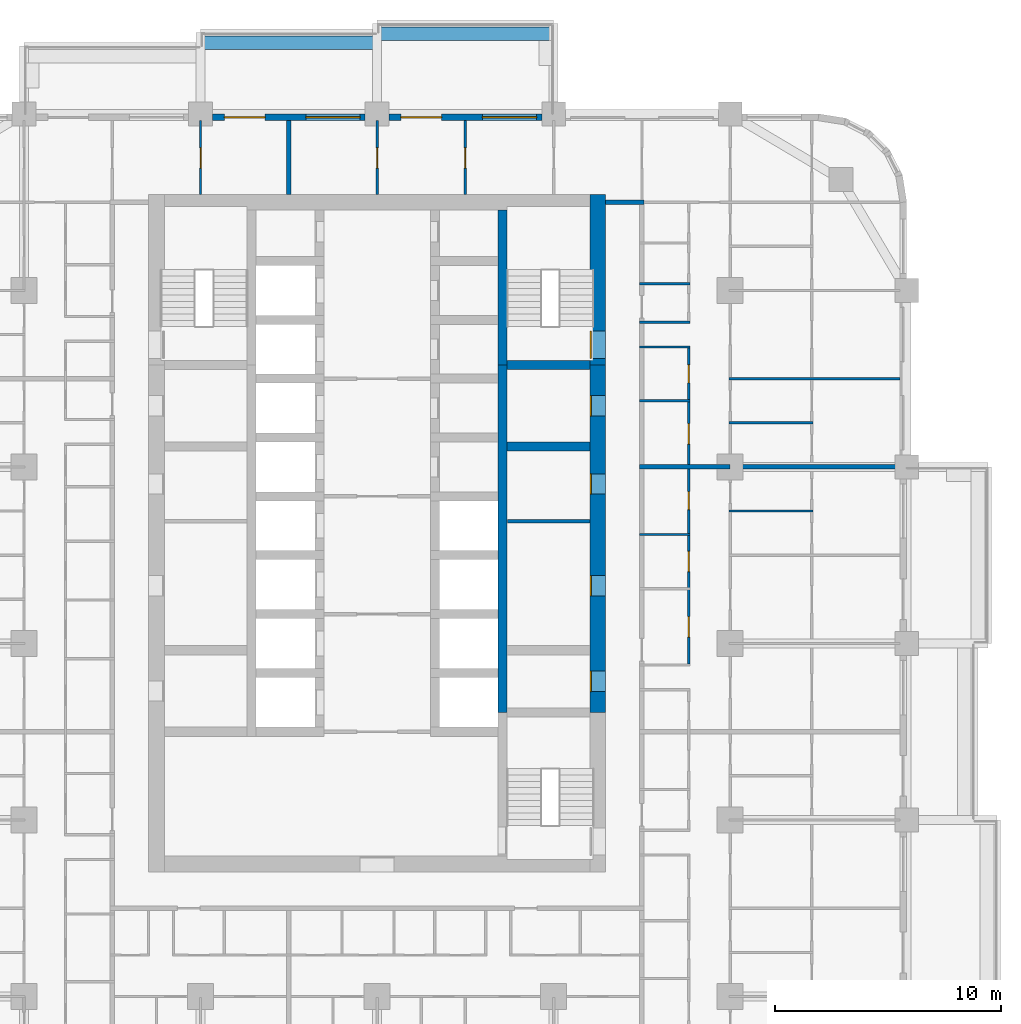
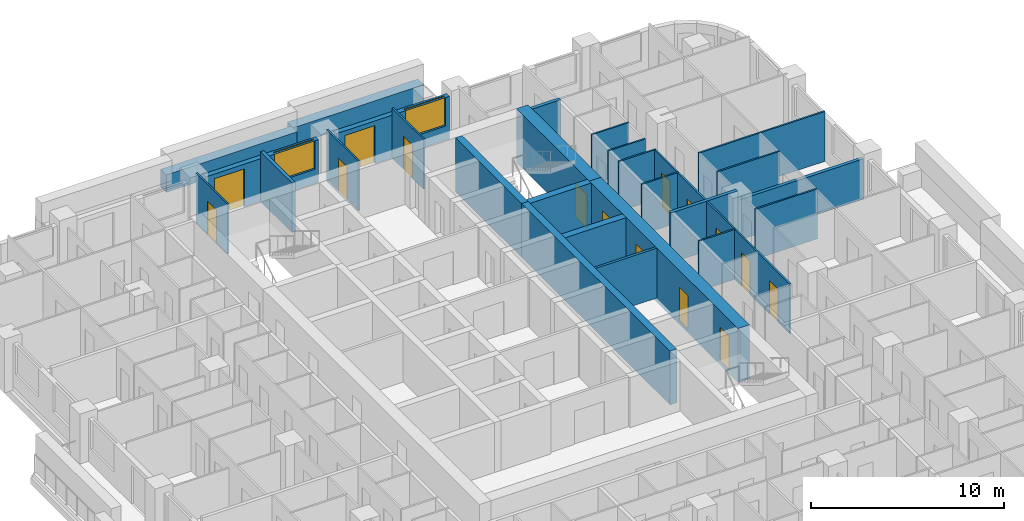
# One storey, part 12 of 17: 27 walls, 15 doors, 2 windows, 17 openings.
"""IFC4 building model written with IfcOpenShell, lengths in metres."""

from ifc_helpers import new_model, si_unit, direction, frame, frame_2d, origin, place, context, subcontext, project, spatial, rectangle, extrude, material, layer, layer_set, type_object, element, fill, save


model = new_model("IFC4")

# Units and contexts
model_context = context("Model", 3, precision=1e-05, world=origin(), true_north=direction((0.0, 1.0)))
body_context = subcontext(model_context, "Body", "Model", "MODEL_VIEW")
ifc_project = project(units=[si_unit("LENGTHUNIT", "METRE"), si_unit("AREAUNIT", "SQUARE_METRE"), si_unit("VOLUMEUNIT", "CUBIC_METRE"), si_unit("PLANEANGLEUNIT", "RADIAN"), si_unit("MASSUNIT", "GRAM", prefix="KILO")], contexts=[model_context])

# Site, building, storey
site_placement = place(None, origin())
site = spatial("IfcSite", under=ifc_project, at=site_placement, CompositionType="ELEMENT")
building_placement = place(site_placement, origin())
building = spatial("IfcBuilding", under=site, at=building_placement, Name="Ludao Terraces", CompositionType="ELEMENT")
storey_placement = place(building_placement, frame((0.0, 0.0, 54.60009765625)))
storey = spatial("IfcBuildingStorey", under=building, at=storey_placement, Name="L14", CompositionType="ELEMENT", Elevation=54.60009765625)

# Wall, openings, doors
ifc_material_1 = material(Name="Concrete C70", Category="concrete")
ifc_layer_1 = layer(ifc_material_1, 0.699951171875)
ifc_layer_set_1 = layer_set([ifc_layer_1], Name="Core wall 700 C70")
wall_type_1 = type_object("IfcWallType", Name="Core wall 700 C70", PredefinedType="SOLIDWALL", material=ifc_layer_set_1)
wall_1_placement = place(storey_placement, frame((94.75, 61.949951171875, -0.25), z_axis=(0.0, 0.0, 1.0), x_axis=(0.0, 1.0, 0.0)))
wall_1 = element("IfcWall", 1, at=wall_1_placement, inside=storey, type_object=wall_type_1, Name="Core wall L14 outer-E", PredefinedType="SOLIDWALL", context=body_context, shape_type="SweptSolid", body=[
    extrude(rectangle(XDim=15.35009765625, YDim=0.699951171875, at=frame_2d((7.675048828125, 0.0))), origin(), (0.0, 0.0, 1.0), 3.39990234375),
])
opening_1_placement = place(wall_1_placement, frame((0.925048828125, 0.0, 0.25)))
opening_1 = element("IfcOpeningElement", 2, at=opening_1_placement, cuts=wall_1, Name="Opening R04-081", PredefinedType="OPENING", context=body_context, shape_type="SweptSolid", body=[
    extrude(rectangle(XDim=0.89990234375, YDim=2.10009765625, at=frame_2d((0.449951171875, 1.050048828125))), frame((0.0, 0.35986328125, 0.0), z_axis=(0.0, -1.0, 0.0), x_axis=(1.0, 0.0, 0.0)), (0.0, 0.0, 1.0), 0.719970703125),
])
opening_2_placement = place(wall_1_placement, frame((5.14990234375, 0.0, 0.25)))
opening_2 = element("IfcOpeningElement", 3, at=opening_2_placement, cuts=wall_1, Name="Opening R04-091", PredefinedType="OPENING", context=body_context, shape_type="SweptSolid", body=[
    extrude(rectangle(XDim=0.89990234375, YDim=2.10009765625, at=frame_2d((0.449951171875, 1.050048828125))), frame((0.0, 0.35986328125, 0.0), z_axis=(0.0, -1.0, 0.0), x_axis=(1.0, 0.0, 0.0)), (0.0, 0.0, 1.0), 0.719970703125),
])
opening_3_placement = place(wall_1_placement, frame((9.64990234375, 0.0, 0.25)))
opening_3 = element("IfcOpeningElement", 4, at=opening_3_placement, cuts=wall_1, Name="Opening R04-108", PredefinedType="OPENING", context=body_context, shape_type="SweptSolid", body=[
    extrude(rectangle(XDim=0.89990234375, YDim=2.10009765625, at=frame_2d((0.449951171875, 1.050048828125))), frame((0.0, 0.35986328125, 0.0), z_axis=(0.0, -1.0, 0.0), x_axis=(1.0, 0.0, 0.0)), (0.0, 0.0, 1.0), 0.719970703125),
])
opening_4_placement = place(wall_1_placement, frame((13.10009765625, 0.0, 0.25)))
opening_4 = element("IfcOpeningElement", 5, at=opening_4_placement, cuts=wall_1, Name="Opening R04-118", PredefinedType="OPENING", context=body_context, shape_type="SweptSolid", body=[
    extrude(rectangle(XDim=0.89990234375, YDim=2.10009765625, at=frame_2d((0.449951171875, 1.050048828125))), frame((0.0, 0.35986328125, 0.0), z_axis=(0.0, -1.0, 0.0), x_axis=(1.0, 0.0, 0.0)), (0.0, 0.0, 1.0), 0.719970703125),
])
ifc_material_2 = material(Name="Steel Q235", Category="steel")
door_type_1 = type_object("IfcDoorType", Name="INT Riser door 900", OperationType="SINGLE_SWING_LEFT", PredefinedType="DOOR", material=ifc_material_2)
door_1_placement = place(opening_1_placement, origin())
door_1 = element("IfcDoor", 6, at=door_1_placement, inside=storey, type_object=door_type_1, Name="DOOR 081", OperationType="SINGLE_SWING_LEFT", OverallHeight=2.10009765625, OverallWidth=0.89990234375, PredefinedType="DOOR", context=body_context, shape_type="SweptSolid", body=[
    extrude(rectangle(XDim=0.89990234375, YDim=2.10009765625, at=frame_2d((0.449951171875, 1.050048828125))), frame((0.0, 0.3349609375, 0.0), z_axis=(0.0, -1.0, 0.0), x_axis=(1.0, 0.0, 0.0)), (0.0, 0.0, 1.0), 0.050048828125),
])
fill(opening_1, door_1)
door_2_placement = place(opening_4_placement, origin())
door_2 = element("IfcDoor", 7, at=door_2_placement, inside=storey, type_object=door_type_1, Name="DOOR 118", OperationType="SINGLE_SWING_LEFT", OverallHeight=2.10009765625, OverallWidth=0.89990234375, PredefinedType="DOOR", context=body_context, shape_type="SweptSolid", body=[
    extrude(rectangle(XDim=0.89990234375, YDim=2.10009765625, at=frame_2d((0.449951171875, 1.050048828125))), frame((0.0, 0.3349609375, 0.0), z_axis=(0.0, -1.0, 0.0), x_axis=(1.0, 0.0, 0.0)), (0.0, 0.0, 1.0), 0.050048828125),
])
fill(opening_4, door_2)
ifc_material_3 = material(Name="Timber door leaf", Category="wood")
door_type_2 = type_object("IfcDoorType", Name="INT Room door 900", OperationType="SINGLE_SWING_LEFT", PredefinedType="DOOR", material=ifc_material_3)
door_3_placement = place(opening_2_placement, origin())
door_3 = element("IfcDoor", 8, at=door_3_placement, inside=storey, type_object=door_type_2, Name="DOOR 091", OperationType="SINGLE_SWING_LEFT", OverallHeight=2.10009765625, OverallWidth=0.89990234375, PredefinedType="DOOR", context=body_context, shape_type="SweptSolid", body=[
    extrude(rectangle(XDim=0.89990234375, YDim=2.10009765625, at=frame_2d((0.449951171875, 1.050048828125))), frame((0.0, 0.3349609375, 0.0), z_axis=(0.0, -1.0, 0.0), x_axis=(1.0, 0.0, 0.0)), (0.0, 0.0, 1.0), 0.050048828125),
])
fill(opening_2, door_3)
door_4_placement = place(opening_3_placement, origin())
door_4 = element("IfcDoor", 9, at=door_4_placement, inside=storey, type_object=door_type_2, Name="DOOR 108", OperationType="SINGLE_SWING_RIGHT", OverallHeight=2.10009765625, OverallWidth=0.89990234375, PredefinedType="DOOR", context=body_context, shape_type="SweptSolid", body=[
    extrude(rectangle(XDim=0.89990234375, YDim=2.10009765625, at=frame_2d((0.449951171875, 1.050048828125))), frame((0.0, 0.3349609375, 0.0), z_axis=(0.0, -1.0, 0.0), x_axis=(1.0, 0.0, 0.0)), (0.0, 0.0, 1.0), 0.050048828125),
])
fill(opening_3, door_4)

# Wall, opening, door
wall_2_placement = place(storey_placement, frame((94.75, 77.300048828125, -0.25), z_axis=(0.0, 0.0, 1.0), x_axis=(0.0, 1.0, 0.0)))
wall_2 = element("IfcWall", 10, at=wall_2_placement, inside=storey, type_object=wall_type_1, Name="Core wall L14 outer-E-S2", PredefinedType="SOLIDWALL", context=body_context, shape_type="SweptSolid", body=[
    extrude(rectangle(XDim=7.550048828125, YDim=0.699951171875, at=frame_2d((3.77490234375, 0.0))), origin(), (0.0, 0.0, 1.0), 3.39990234375),
])
opening_5_placement = place(wall_2_placement, frame((0.300048828125, 0.0, 0.25)))
opening_5 = element("IfcOpeningElement", 11, at=opening_5_placement, cuts=wall_2, Name="Opening R04-132", PredefinedType="OPENING", context=body_context, shape_type="SweptSolid", body=[
    extrude(rectangle(XDim=1.199951171875, YDim=2.10009765625, at=frame_2d((0.60009765625, 1.050048828125))), frame((0.0, 0.35986328125, 0.0), z_axis=(0.0, -1.0, 0.0), x_axis=(1.0, 0.0, 0.0)), (0.0, 0.0, 1.0), 0.719970703125),
])
door_type_3 = type_object("IfcDoorType", Name="INT Stair door 1200", OperationType="DOUBLE_DOOR_SINGLE_SWING", PredefinedType="DOOR", material=ifc_material_2)
door_5_placement = place(opening_5_placement, origin())
door_5 = element("IfcDoor", 12, at=door_5_placement, inside=storey, type_object=door_type_3, Name="DOOR 132", OperationType="DOUBLE_DOOR_SINGLE_SWING", OverallHeight=2.10009765625, OverallWidth=1.199951171875, PredefinedType="DOOR", context=body_context, shape_type="SweptSolid", body=[
    extrude(rectangle(XDim=1.199951171875, YDim=2.10009765625, at=frame_2d((0.60009765625, 1.050048828125))), frame((0.0, 0.3349609375, 0.0), z_axis=(0.0, -1.0, 0.0), x_axis=(1.0, 0.0, 0.0)), (0.0, 0.0, 1.0), 0.050048828125),
])
fill(opening_5, door_5)

# Walls
ifc_material_4 = material(Name="Concrete C40", Category="concrete")
ifc_layer_2 = layer(ifc_material_4, 0.60009765625)
ifc_layer_set_2 = layer_set([ifc_layer_2], Name="ENV Planter trough 600")
wall_type_2 = type_object("IfcWallType", Name="ENV Planter trough 600", PredefinedType="USERDEFINED", material=ifc_layer_set_2)
for number, where, z_axis, x_axis, name in (
    (13, (77.199951171875, 91.550048828125, 0.0), (0.0, 0.0, 1.0), (1.0, 0.0, 0.0), "PL-L14-N2"),
    (14, (85.0, 91.949951171875, 0.0), (0.0, 0.0, 1.0), (1.0, 0.0, 0.0), "PL-L14-N3"),
):
    element("IfcWall", number, at=place(storey_placement, frame(where, z_axis=z_axis, x_axis=x_axis)), inside=storey, type_object=wall_type_2, Name=name, ObjectType="PLANTER", PredefinedType="USERDEFINED", context=body_context, shape_type="SweptSolid", body=[
        extrude(rectangle(XDim=7.800048828125, YDim=0.60009765625, at=frame_2d((3.89990234375, 0.0))), origin(), (0.0, 0.0, 1.0), 1.099853515625),
    ])

# Wall, openings, door, window
ifc_material_5 = material(Name="Granite cladding", Category="masonry")
ifc_layer_3 = layer(ifc_material_5, 0.0400390625, Category="stone")
ifc_material_6 = material(Name="Mineral wool")
ifc_layer_4 = layer(ifc_material_6, 0.06005859375)
ifc_layer_5 = layer(ifc_material_4, 0.199951171875, Category="concrete")
ifc_layer_set_3 = layer_set([ifc_layer_3, ifc_layer_4, ifc_layer_5], Name="ENV Stone-clad wall 300")
wall_type_3 = type_object("IfcWallType", Name="ENV Stone-clad wall 300", PredefinedType="SOLIDWALL", material=ifc_layer_set_3)
wall_3_placement = place(storey_placement, frame((77.72509765625, 88.25, 0.0), z_axis=(0.0, 0.0, 1.0), x_axis=(1.0, 0.0, 0.0)))
wall_3 = element("IfcWall", 15, at=wall_3_placement, inside=storey, type_object=wall_type_3, Name="EW-L14-N3", PredefinedType="SOLIDWALL", context=body_context, shape_type="SweptSolid", body=[
    extrude(rectangle(XDim=6.75, YDim=0.300048828125, at=frame_2d((3.375, 0.0))), origin(), (0.0, 0.0, 1.0), 2.699951171875),
])
opening_6_placement = place(wall_3_placement, frame((0.52490234375, 0.0, 0.0)))
opening_6 = element("IfcOpeningElement", 16, at=opening_6_placement, cuts=wall_3, Name="Opening BD", PredefinedType="OPENING", context=body_context, shape_type="SweptSolid", body=[
    extrude(rectangle(XDim=1.800048828125, YDim=2.39990234375, at=frame_2d((0.89990234375, 1.199951171875))), frame((0.0, 0.16015625, 0.0), z_axis=(0.0, -1.0, 0.0), x_axis=(1.0, 0.0, 0.0)), (0.0, 0.0, 1.0), 0.320068359375),
])
opening_7_placement = place(wall_3_placement, frame((4.125, 0.0, 0.89990234375)))
opening_7 = element("IfcOpeningElement", 17, at=opening_7_placement, cuts=wall_3, Name="Opening W1", PredefinedType="OPENING", context=body_context, shape_type="SweptSolid", body=[
    extrude(rectangle(XDim=2.39990234375, YDim=1.800048828125, at=frame_2d((1.199951171875, 0.89990234375))), frame((0.0, 0.16015625, 0.0), z_axis=(0.0, -1.0, 0.0), x_axis=(1.0, 0.0, 0.0)), (0.0, 0.0, 1.0), 0.320068359375),
])
ifc_material_7 = material(Name="Aluminium glazed door", Category="aluminium")
ifc_layer_6 = layer(ifc_material_7, 0.06005859375)
ifc_layer_set_4 = layer_set([ifc_layer_6], Name="ENV Balcony door BD 1800x2400")
door_type_4 = type_object("IfcDoorType", Name="ENV Balcony door BD 1800x2400", OperationType="DOUBLE_DOOR_SINGLE_SWING", PredefinedType="DOOR", material=ifc_layer_set_4)
door_6_placement = place(opening_6_placement, origin())
door_6 = element("IfcDoor", 18, at=door_6_placement, inside=storey, type_object=door_type_4, Name="BD-L14-N3-1", OperationType="DOUBLE_DOOR_SINGLE_SWING", OverallHeight=2.39990234375, OverallWidth=1.800048828125, PredefinedType="DOOR", context=body_context, shape_type="SweptSolid", body=[
    extrude(rectangle(XDim=1.800048828125, YDim=2.39990234375, at=frame_2d((0.89990234375, 1.199951171875))), frame((0.0, 0.02490234375, 0.0), z_axis=(0.0, -1.0, 0.0), x_axis=(1.0, 0.0, 0.0)), (0.0, 0.0, 1.0), 0.050048828125),
])
fill(opening_6, door_6)
ifc_material_8 = material(Name="Clear glass in aluminium frame", Category="aluminium")
ifc_layer_7 = layer(ifc_material_8, 0.06005859375)
ifc_layer_set_5 = layer_set([ifc_layer_7], Name="ENV Window W1 2400x1800")
window_type = type_object("IfcWindowType", Name="ENV Window W1 2400x1800", PartitioningType="DOUBLE_PANEL_VERTICAL", PredefinedType="WINDOW", material=ifc_layer_set_5)
window_1_placement = place(opening_7_placement, origin())
window_1 = element("IfcWindow", 19, at=window_1_placement, inside=storey, type_object=window_type, Name="W-L14-N3-2", OverallHeight=1.800048828125, OverallWidth=2.39990234375, PartitioningType="DOUBLE_PANEL_VERTICAL", PredefinedType="WINDOW", context=body_context, shape_type="SweptSolid", body=[
    extrude(rectangle(XDim=2.39990234375, YDim=1.800048828125, at=frame_2d((1.199951171875, 0.89990234375))), frame((0.0, 0.030029296875, 0.0), z_axis=(0.0, -1.0, 0.0), x_axis=(1.0, 0.0, 0.0)), (0.0, 0.0, 1.0), 0.06005859375),
])
fill(opening_7, window_1)

wall_4_placement = place(storey_placement, frame((85.52490234375, 88.25, 0.0), z_axis=(0.0, 0.0, 1.0), x_axis=(1.0, 0.0, 0.0)))
wall_4 = element("IfcWall", 20, at=wall_4_placement, inside=storey, type_object=wall_type_3, Name="EW-L14-N4", PredefinedType="SOLIDWALL", context=body_context, shape_type="SweptSolid", body=[
    extrude(rectangle(XDim=6.75, YDim=0.300048828125, at=frame_2d((3.375, 0.0))), origin(), (0.0, 0.0, 1.0), 2.699951171875),
])
opening_8_placement = place(wall_4_placement, frame((0.52490234375, 0.0, 0.0)))
opening_8 = element("IfcOpeningElement", 21, at=opening_8_placement, cuts=wall_4, Name="Opening BD", PredefinedType="OPENING", context=body_context, shape_type="SweptSolid", body=[
    extrude(rectangle(XDim=1.800048828125, YDim=2.39990234375, at=frame_2d((0.89990234375, 1.199951171875))), frame((0.0, 0.16015625, 0.0), z_axis=(0.0, -1.0, 0.0), x_axis=(1.0, 0.0, 0.0)), (0.0, 0.0, 1.0), 0.320068359375),
])
opening_9_placement = place(wall_4_placement, frame((4.125, 0.0, 0.89990234375)))
opening_9 = element("IfcOpeningElement", 22, at=opening_9_placement, cuts=wall_4, Name="Opening W1", PredefinedType="OPENING", context=body_context, shape_type="SweptSolid", body=[
    extrude(rectangle(XDim=2.39990234375, YDim=1.800048828125, at=frame_2d((1.199951171875, 0.89990234375))), frame((0.0, 0.16015625, 0.0), z_axis=(0.0, -1.0, 0.0), x_axis=(1.0, 0.0, 0.0)), (0.0, 0.0, 1.0), 0.320068359375),
])
door_7_placement = place(opening_8_placement, origin())
door_7 = element("IfcDoor", 23, at=door_7_placement, inside=storey, type_object=door_type_4, Name="BD-L14-N4-1", OperationType="DOUBLE_DOOR_SINGLE_SWING", OverallHeight=2.39990234375, OverallWidth=1.800048828125, PredefinedType="DOOR", context=body_context, shape_type="SweptSolid", body=[
    extrude(rectangle(XDim=1.800048828125, YDim=2.39990234375, at=frame_2d((0.89990234375, 1.199951171875))), frame((0.0, 0.02490234375, 0.0), z_axis=(0.0, -1.0, 0.0), x_axis=(1.0, 0.0, 0.0)), (0.0, 0.0, 1.0), 0.050048828125),
])
fill(opening_8, door_7)
window_2_placement = place(opening_9_placement, origin())
window_2 = element("IfcWindow", 24, at=window_2_placement, inside=storey, type_object=window_type, Name="W-L14-N4-2", OverallHeight=1.800048828125, OverallWidth=2.39990234375, PartitioningType="DOUBLE_PANEL_VERTICAL", PredefinedType="WINDOW", context=body_context, shape_type="SweptSolid", body=[
    extrude(rectangle(XDim=2.39990234375, YDim=1.800048828125, at=frame_2d((1.199951171875, 0.89990234375))), frame((0.0, 0.030029296875, 0.0), z_axis=(0.0, -1.0, 0.0), x_axis=(1.0, 0.0, 0.0)), (0.0, 0.0, 1.0), 0.06005859375),
])
fill(opening_9, window_2)

# Walls
ifc_material_9 = material(Name="Fire-rated gypsum plasterboard", Category="gypsum")
ifc_layer_8 = layer(ifc_material_9, 0.012451171875, Category="gypsum")
ifc_layer_9 = layer(ifc_material_6, 0.10009765625, Name="insulation")
ifc_layer_10 = layer(ifc_material_2, 0.02490234375, Name="stud")
ifc_layer_11 = layer(ifc_material_9, 0.012451171875, Category="gypsum")
ifc_layer_set_6 = layer_set([ifc_layer_8, ifc_layer_9, ifc_layer_10, ifc_layer_11], Name="INT Core partition 150")
wall_type_4 = type_object("IfcWallType", Name="INT Core partition 150", PredefinedType="PARTITIONING", material=ifc_layer_set_6)
wall_5_placement = place(storey_placement, frame((90.75, 70.39990234375, 0.0), z_axis=(0.0, 0.0, 1.0), x_axis=(1.0, 0.0, 0.0)))
element("IfcWall", 25, at=wall_5_placement, inside=storey, type_object=wall_type_4, Name="PW-L14-PW050", PredefinedType="PARTITIONING", context=body_context, shape_type="SweptSolid", body=[
    extrude(rectangle(XDim=3.650146484375, YDim=0.14990234375, at=frame_2d((1.8251953125, 0.0))), origin(), (0.0, 0.0, 1.0), 3.14990234375),
])
ifc_material_10 = material(Name="Autoclaved aerated concrete block B06 A3.5", Category="concrete")
ifc_layer_12 = layer(ifc_material_10, 0.199951171875)
ifc_layer_set_7 = layer_set([ifc_layer_12], Name="INT Entrance wall 200")
wall_type_5 = type_object("IfcWallType", Name="INT Entrance wall 200", PredefinedType="PARTITIONING", material=ifc_layer_set_7)
wall_6_placement = place(storey_placement, frame((95.10009765625, 84.5, 0.0), z_axis=(0.0, 0.0, 1.0), x_axis=(1.0, 0.0, 0.0)))
element("IfcWall", 26, at=wall_6_placement, inside=storey, type_object=wall_type_5, Name="PW-L14-PW078", PredefinedType="PARTITIONING", context=body_context, shape_type="SweptSolid", body=[
    extrude(rectangle(XDim=1.699951171875, YDim=0.199951171875, at=frame_2d((0.85009765625, 0.0))), origin(), (0.0, 0.0, 1.0), 3.14990234375),
])
ifc_material_11 = material(Name="Gypsum plasterboard", Category="gypsum")
ifc_layer_13 = layer(ifc_material_11, 0.012451171875, Category="gypsum")
ifc_layer_14 = layer(ifc_material_6, 0.06005859375, Name="insulation")
ifc_layer_15 = layer(ifc_material_2, 0.014892578125, Name="stud")
ifc_layer_16 = layer(ifc_material_11, 0.012451171875, Category="gypsum")
ifc_layer_set_8 = layer_set([ifc_layer_13, ifc_layer_14, ifc_layer_15, ifc_layer_16], Name="INT Partition 100")
wall_type_6 = type_object("IfcWallType", Name="INT Partition 100", PredefinedType="PARTITIONING", material=ifc_layer_set_8)
wall_7_placement = place(storey_placement, frame((96.60009765625, 69.820068359375, 0.0), z_axis=(0.0, 0.0, 1.0), x_axis=(1.0, 0.0, 0.0)))
element("IfcWall", 27, at=wall_7_placement, inside=storey, type_object=wall_type_6, Name="PW-L14-PW048", PredefinedType="PARTITIONING", context=body_context, shape_type="SweptSolid", body=[
    extrude(rectangle(XDim=2.219970703125, YDim=0.10009765625, at=frame_2d((1.10986328125, 0.0))), origin(), (0.0, 0.0, 1.0), 3.14990234375),
])
for number, where, z_axis, x_axis, name in (
    (28, (100.550048828125, 70.85009765625, 0.0), (0.0, 0.0, 1.0), (1.0, 0.0, 0.0), "PW-L14-PW052"),
    (29, (100.550048828125, 74.75, 0.0), (0.0, 0.0, 1.0), (1.0, 0.0, 0.0), "PW-L14-PW059"),
):
    element("IfcWall", number, at=place(storey_placement, frame(where, z_axis=z_axis, x_axis=x_axis)), inside=storey, type_object=wall_type_6, Name=name, PredefinedType="PARTITIONING", context=body_context, shape_type="SweptSolid", body=[
        extrude(rectangle(XDim=3.699951171875, YDim=0.10009765625, at=frame_2d((1.85009765625, 0.0))), origin(), (0.0, 0.0, 1.0), 3.14990234375),
    ])
wall_8_placement = place(storey_placement, frame((96.60009765625, 75.719970703125, 0.0), z_axis=(0.0, 0.0, 1.0), x_axis=(1.0, 0.0, 0.0)))
element("IfcWall", 30, at=wall_8_placement, inside=storey, type_object=wall_type_6, Name="PW-L14-PW061", PredefinedType="PARTITIONING", context=body_context, shape_type="SweptSolid", body=[
    extrude(rectangle(XDim=2.219970703125, YDim=0.10009765625, at=frame_2d((1.10986328125, 0.0))), origin(), (0.0, 0.0, 1.0), 3.14990234375),
])
wall_9_placement = place(storey_placement, frame((100.550048828125, 76.699951171875, 0.0), z_axis=(0.0, 0.0, 1.0), x_axis=(1.0, 0.0, 0.0)))
element("IfcWall", 31, at=wall_9_placement, inside=storey, type_object=wall_type_6, Name="PW-L14-PW064", PredefinedType="PARTITIONING", context=body_context, shape_type="SweptSolid", body=[
    extrude(rectangle(XDim=7.550048828125, YDim=0.10009765625, at=frame_2d((3.77490234375, 0.0))), origin(), (0.0, 0.0, 1.0), 3.14990234375),
])
for number, where, z_axis, x_axis, name in (
    (32, (96.60009765625, 78.10009765625, 0.0), (0.0, 0.0, 1.0), (1.0, 0.0, 0.0), "PW-L14-PW065"),
    (33, (96.60009765625, 79.199951171875, 0.0), (0.0, 0.0, 1.0), (1.0, 0.0, 0.0), "PW-L14-PW068"),
    (34, (96.60009765625, 80.89990234375, 0.0), (0.0, 0.0, 1.0), (1.0, 0.0, 0.0), "PW-L14-PW072"),
):
    element("IfcWall", number, at=place(storey_placement, frame(where, z_axis=z_axis, x_axis=x_axis)), inside=storey, type_object=wall_type_6, Name=name, PredefinedType="PARTITIONING", context=body_context, shape_type="SweptSolid", body=[
        extrude(rectangle(XDim=2.219970703125, YDim=0.10009765625, at=frame_2d((1.10986328125, 0.0))), origin(), (0.0, 0.0, 1.0), 3.14990234375),
    ])

# Wall, opening, door
wall_10_placement = place(storey_placement, frame((77.199951171875, 84.85009765625, 0.0), z_axis=(0.0, 0.0, 1.0), x_axis=(0.0, 1.0, 0.0)))
wall_10 = element("IfcWall", 35, at=wall_10_placement, inside=storey, type_object=wall_type_6, Name="PW-L14-PW095", PredefinedType="PARTITIONING", context=body_context, shape_type="SweptSolid", body=[
    extrude(rectangle(XDim=3.25, YDim=0.10009765625, at=frame_2d((1.625, 0.0))), origin(), (0.0, 0.0, 1.0), 3.14990234375),
])
opening_10_placement = place(wall_10_placement, frame((1.14990234375, 0.0, 0.0)))
opening_10 = element("IfcOpeningElement", 36, at=opening_10_placement, cuts=wall_10, Name="Opening R04-158", PredefinedType="OPENING", context=body_context, shape_type="SweptSolid", body=[
    extrude(rectangle(XDim=0.89990234375, YDim=2.10009765625, at=frame_2d((0.449951171875, 1.050048828125))), frame((0.0, 0.06005859375, 0.0), z_axis=(0.0, -1.0, 0.0), x_axis=(1.0, 0.0, 0.0)), (0.0, 0.0, 1.0), 0.1201171875),
])
door_8_placement = place(opening_10_placement, origin())
door_8 = element("IfcDoor", 37, at=door_8_placement, inside=storey, type_object=door_type_2, Name="DOOR 158", OperationType="SINGLE_SWING_RIGHT", OverallHeight=2.10009765625, OverallWidth=0.89990234375, PredefinedType="DOOR", context=body_context, shape_type="SweptSolid", body=[
    extrude(rectangle(XDim=0.89990234375, YDim=2.10009765625, at=frame_2d((0.449951171875, 1.050048828125))), frame((0.0, 0.02490234375, 0.0), z_axis=(0.0, -1.0, 0.0), x_axis=(1.0, 0.0, 0.0)), (0.0, 0.0, 1.0), 0.050048828125),
])
fill(opening_10, door_8)

wall_11_placement = place(storey_placement, frame((85.0, 84.85009765625, 0.0), z_axis=(0.0, 0.0, 1.0), x_axis=(0.0, 1.0, 0.0)))
wall_11 = element("IfcWall", 38, at=wall_11_placement, inside=storey, type_object=wall_type_6, Name="PW-L14-PW102", PredefinedType="PARTITIONING", context=body_context, shape_type="SweptSolid", body=[
    extrude(rectangle(XDim=3.25, YDim=0.10009765625, at=frame_2d((1.625, 0.0))), origin(), (0.0, 0.0, 1.0), 3.14990234375),
])
opening_11_placement = place(wall_11_placement, frame((1.14990234375, 0.0, 0.0)))
opening_11 = element("IfcOpeningElement", 39, at=opening_11_placement, cuts=wall_11, Name="Opening R04-159", PredefinedType="OPENING", context=body_context, shape_type="SweptSolid", body=[
    extrude(rectangle(XDim=0.89990234375, YDim=2.10009765625, at=frame_2d((0.449951171875, 1.050048828125))), frame((0.0, 0.06005859375, 0.0), z_axis=(0.0, -1.0, 0.0), x_axis=(1.0, 0.0, 0.0)), (0.0, 0.0, 1.0), 0.1201171875),
])
door_9_placement = place(opening_11_placement, origin())
door_9 = element("IfcDoor", 40, at=door_9_placement, inside=storey, type_object=door_type_2, Name="DOOR 159", OperationType="SINGLE_SWING_LEFT", OverallHeight=2.10009765625, OverallWidth=0.89990234375, PredefinedType="DOOR", context=body_context, shape_type="SweptSolid", body=[
    extrude(rectangle(XDim=0.89990234375, YDim=2.10009765625, at=frame_2d((0.449951171875, 1.050048828125))), frame((0.0, 0.02490234375, 0.0), z_axis=(0.0, -1.0, 0.0), x_axis=(1.0, 0.0, 0.0)), (0.0, 0.0, 1.0), 0.050048828125),
])
fill(opening_11, door_9)

wall_12_placement = place(storey_placement, frame((88.89990234375, 84.85009765625, 0.0), z_axis=(0.0, 0.0, 1.0), x_axis=(0.0, 1.0, 0.0)))
wall_12 = element("IfcWall", 41, at=wall_12_placement, inside=storey, type_object=wall_type_6, Name="PW-L14-PW107", PredefinedType="PARTITIONING", context=body_context, shape_type="SweptSolid", body=[
    extrude(rectangle(XDim=3.25, YDim=0.10009765625, at=frame_2d((1.625, 0.0))), origin(), (0.0, 0.0, 1.0), 3.14990234375),
])
opening_12_placement = place(wall_12_placement, frame((1.14990234375, 0.0, 0.0)))
opening_12 = element("IfcOpeningElement", 42, at=opening_12_placement, cuts=wall_12, Name="Opening R04-160", PredefinedType="OPENING", context=body_context, shape_type="SweptSolid", body=[
    extrude(rectangle(XDim=0.89990234375, YDim=2.10009765625, at=frame_2d((0.449951171875, 1.050048828125))), frame((0.0, 0.06005859375, 0.0), z_axis=(0.0, -1.0, 0.0), x_axis=(1.0, 0.0, 0.0)), (0.0, 0.0, 1.0), 0.1201171875),
])
door_10_placement = place(opening_12_placement, origin())
door_10 = element("IfcDoor", 43, at=door_10_placement, inside=storey, type_object=door_type_2, Name="DOOR 160", OperationType="SINGLE_SWING_RIGHT", OverallHeight=2.10009765625, OverallWidth=0.89990234375, PredefinedType="DOOR", context=body_context, shape_type="SweptSolid", body=[
    extrude(rectangle(XDim=0.89990234375, YDim=2.10009765625, at=frame_2d((0.449951171875, 1.050048828125))), frame((0.0, 0.02490234375, 0.0), z_axis=(0.0, -1.0, 0.0), x_axis=(1.0, 0.0, 0.0)), (0.0, 0.0, 1.0), 0.050048828125),
])
fill(opening_12, door_10)

# Wall, openings, doors
wall_13_placement = place(storey_placement, frame((98.77001953125, 64.10009765625, 0.0), z_axis=(0.0, 0.0, 1.0), x_axis=(0.0, 1.0, 0.0)))
wall_13 = element("IfcWall", 44, at=wall_13_placement, inside=storey, type_object=wall_type_6, Name="PW-L14-PW118", PredefinedType="PARTITIONING", context=body_context, shape_type="SweptSolid", body=[
    extrude(rectangle(XDim=13.949951171875, YDim=0.10009765625, at=frame_2d((6.97509765625, 0.0))), origin(), (0.0, 0.0, 1.0), 3.14990234375),
])
opening_13_placement = place(wall_13_placement, frame((1.18505859375, 0.0, 0.0)))
opening_13 = element("IfcOpeningElement", 45, at=opening_13_placement, cuts=wall_13, Name="Opening R04-085", PredefinedType="OPENING", context=body_context, shape_type="SweptSolid", body=[
    extrude(rectangle(XDim=0.89990234375, YDim=2.10009765625, at=frame_2d((0.449951171875, 1.050048828125))), frame((0.0, 0.06005859375, 0.0), z_axis=(0.0, -1.0, 0.0), x_axis=(1.0, 0.0, 0.0)), (0.0, 0.0, 1.0), 0.1201171875),
])
opening_14_placement = place(wall_13_placement, frame((4.070068359375, 0.0, 0.0)))
opening_14 = element("IfcOpeningElement", 46, at=opening_14_placement, cuts=wall_13, Name="Opening R04-096", PredefinedType="OPENING", context=body_context, shape_type="SweptSolid", body=[
    extrude(rectangle(XDim=0.89990234375, YDim=2.10009765625, at=frame_2d((0.449951171875, 1.050048828125))), frame((0.0, 0.06005859375, 0.0), z_axis=(0.0, -1.0, 0.0), x_axis=(1.0, 0.0, 0.0)), (0.0, 0.0, 1.0), 0.1201171875),
])
opening_15_placement = place(wall_13_placement, frame((6.81005859375, 0.0, 0.0)))
opening_15 = element("IfcOpeningElement", 47, at=opening_15_placement, cuts=wall_13, Name="Opening R04-101", PredefinedType="OPENING", context=body_context, shape_type="SweptSolid", body=[
    extrude(rectangle(XDim=0.800048828125, YDim=2.10009765625, at=frame_2d((0.39990234375, 1.050048828125))), frame((0.0, 0.06005859375, 0.0), z_axis=(0.0, -1.0, 0.0), x_axis=(1.0, 0.0, 0.0)), (0.0, 0.0, 1.0), 0.1201171875),
])
opening_16_placement = place(wall_13_placement, frame((9.7099609375, 0.0, 0.0)))
opening_16 = element("IfcOpeningElement", 48, at=opening_16_placement, cuts=wall_13, Name="Opening R04-114", PredefinedType="OPENING", context=body_context, shape_type="SweptSolid", body=[
    extrude(rectangle(XDim=0.89990234375, YDim=2.10009765625, at=frame_2d((0.449951171875, 1.050048828125))), frame((0.0, 0.06005859375, 0.0), z_axis=(0.0, -1.0, 0.0), x_axis=(1.0, 0.0, 0.0)), (0.0, 0.0, 1.0), 0.1201171875),
])
opening_17_placement = place(wall_13_placement, frame((12.409912109375, 0.0, 0.0)))
opening_17 = element("IfcOpeningElement", 49, at=opening_17_placement, cuts=wall_13, Name="Opening R04-126", PredefinedType="OPENING", context=body_context, shape_type="SweptSolid", body=[
    extrude(rectangle(XDim=0.800048828125, YDim=2.10009765625, at=frame_2d((0.39990234375, 1.050048828125))), frame((0.0, 0.06005859375, 0.0), z_axis=(0.0, -1.0, 0.0), x_axis=(1.0, 0.0, 0.0)), (0.0, 0.0, 1.0), 0.1201171875),
])
door_type_5 = type_object("IfcDoorType", Name="INT Bathroom door 900", OperationType="SINGLE_SWING_LEFT", PredefinedType="DOOR", material=ifc_material_3)
door_11_placement = place(opening_14_placement, origin())
door_11 = element("IfcDoor", 50, at=door_11_placement, inside=storey, type_object=door_type_5, Name="DOOR 096", OperationType="SINGLE_SWING_LEFT", OverallHeight=2.10009765625, OverallWidth=0.89990234375, PredefinedType="DOOR", context=body_context, shape_type="SweptSolid", body=[
    extrude(rectangle(XDim=0.89990234375, YDim=2.10009765625, at=frame_2d((0.449951171875, 1.050048828125))), frame((0.0, 0.02490234375, 0.0), z_axis=(0.0, -1.0, 0.0), x_axis=(1.0, 0.0, 0.0)), (0.0, 0.0, 1.0), 0.050048828125),
])
fill(opening_14, door_11)
door_12_placement = place(opening_13_placement, origin())
door_12 = element("IfcDoor", 51, at=door_12_placement, inside=storey, type_object=door_type_2, Name="DOOR 085", OperationType="SINGLE_SWING_LEFT", OverallHeight=2.10009765625, OverallWidth=0.89990234375, PredefinedType="DOOR", context=body_context, shape_type="SweptSolid", body=[
    extrude(rectangle(XDim=0.89990234375, YDim=2.10009765625, at=frame_2d((0.449951171875, 1.050048828125))), frame((0.0, 0.02490234375, 0.0), z_axis=(0.0, -1.0, 0.0), x_axis=(1.0, 0.0, 0.0)), (0.0, 0.0, 1.0), 0.050048828125),
])
fill(opening_13, door_12)
door_13_placement = place(opening_16_placement, origin())
door_13 = element("IfcDoor", 52, at=door_13_placement, inside=storey, type_object=door_type_2, Name="DOOR 114", OperationType="SINGLE_SWING_LEFT", OverallHeight=2.10009765625, OverallWidth=0.89990234375, PredefinedType="DOOR", context=body_context, shape_type="SweptSolid", body=[
    extrude(rectangle(XDim=0.89990234375, YDim=2.10009765625, at=frame_2d((0.449951171875, 1.050048828125))), frame((0.0, 0.02490234375, 0.0), z_axis=(0.0, -1.0, 0.0), x_axis=(1.0, 0.0, 0.0)), (0.0, 0.0, 1.0), 0.050048828125),
])
fill(opening_16, door_13)
door_type_6 = type_object("IfcDoorType", Name="INT Store door 800", OperationType="SINGLE_SWING_LEFT", PredefinedType="DOOR", material=ifc_material_3)
door_14_placement = place(opening_15_placement, origin())
door_14 = element("IfcDoor", 53, at=door_14_placement, inside=storey, type_object=door_type_6, Name="DOOR 101", OperationType="SINGLE_SWING_RIGHT", OverallHeight=2.10009765625, OverallWidth=0.800048828125, PredefinedType="DOOR", context=body_context, shape_type="SweptSolid", body=[
    extrude(rectangle(XDim=0.800048828125, YDim=2.10009765625, at=frame_2d((0.39990234375, 1.050048828125))), frame((0.0, 0.02490234375, 0.0), z_axis=(0.0, -1.0, 0.0), x_axis=(1.0, 0.0, 0.0)), (0.0, 0.0, 1.0), 0.050048828125),
])
fill(opening_15, door_14)
door_15_placement = place(opening_17_placement, origin())
door_15 = element("IfcDoor", 54, at=door_15_placement, inside=storey, type_object=door_type_6, Name="DOOR 126", OperationType="SINGLE_SWING_RIGHT", OverallHeight=2.10009765625, OverallWidth=0.800048828125, PredefinedType="DOOR", context=body_context, shape_type="SweptSolid", body=[
    extrude(rectangle(XDim=0.800048828125, YDim=2.10009765625, at=frame_2d((0.39990234375, 1.050048828125))), frame((0.0, 0.02490234375, 0.0), z_axis=(0.0, -1.0, 0.0), x_axis=(1.0, 0.0, 0.0)), (0.0, 0.0, 1.0), 0.050048828125),
])
fill(opening_17, door_15)

# Walls
ifc_layer_17 = layer(ifc_material_10, 0.199951171875)
ifc_layer_set_9 = layer_set([ifc_layer_17], Name="INT Party wall 200")
wall_type_7 = type_object("IfcWallType", Name="INT Party wall 200", PredefinedType="PARTITIONING", material=ifc_layer_set_9)
wall_14_placement = place(storey_placement, frame((96.60009765625, 72.800048828125, 0.0), z_axis=(0.0, 0.0, 1.0), x_axis=(1.0, 0.0, 0.0)))
element("IfcWall", 55, at=wall_14_placement, inside=storey, type_object=wall_type_7, Name="PW-L14-PW056", PredefinedType="PARTITIONING", context=body_context, shape_type="SweptSolid", body=[
    extrude(rectangle(XDim=4.0, YDim=0.199951171875, at=frame_2d((2.0, 0.0))), origin(), (0.0, 0.0, 1.0), 3.14990234375),
])
wall_15_placement = place(storey_placement, frame((100.60009765625, 72.800048828125, 0.0), z_axis=(0.0, 0.0, 1.0), x_axis=(1.0, 0.0, 0.0)))
element("IfcWall", 56, at=wall_15_placement, inside=storey, type_object=wall_type_7, Name="PW-L14-PW056-2", PredefinedType="PARTITIONING", context=body_context, shape_type="SweptSolid", body=[
    extrude(rectangle(XDim=7.5, YDim=0.199951171875, at=frame_2d((3.75, 0.0))), origin(), (0.0, 0.0, 1.0), 2.5498046875),
])
wall_16_placement = place(storey_placement, frame((81.10009765625, 84.85009765625, 0.0), z_axis=(0.0, 0.0, 1.0), x_axis=(0.0, 1.0, 0.0)))
element("IfcWall", 57, at=wall_16_placement, inside=storey, type_object=wall_type_7, Name="PW-L14-PW098", PredefinedType="PARTITIONING", context=body_context, shape_type="SweptSolid", body=[
    extrude(rectangle(XDim=3.25, YDim=0.199951171875, at=frame_2d((1.625, 0.0))), origin(), (0.0, 0.0, 1.0), 3.14990234375),
])
ifc_material_12 = material(Name="Concrete C60", Category="concrete")
ifc_layer_18 = layer(ifc_material_12, 0.39990234375)
ifc_layer_set_10 = layer_set([ifc_layer_18], Name="Shaft wall 400 C60")
wall_type_8 = type_object("IfcWallType", Name="Shaft wall 400 C60", PredefinedType="SOLIDWALL", material=ifc_layer_set_10)
wall_17_placement = place(storey_placement, frame((90.550048828125, 61.949951171875, -0.25), z_axis=(0.0, 0.0, 1.0), x_axis=(0.0, 1.0, 0.0)))
element("IfcWall", 58, at=wall_17_placement, inside=storey, type_object=wall_type_8, Name="Core wall L14 back-E", PredefinedType="SOLIDWALL", context=body_context, shape_type="SweptSolid", body=[
    extrude(rectangle(XDim=15.35009765625, YDim=0.39990234375, at=frame_2d((7.675048828125, 0.0))), origin(), (0.0, 0.0, 1.0), 3.39990234375),
])
wall_18_placement = place(storey_placement, frame((90.550048828125, 77.300048828125, -0.25), z_axis=(0.0, 0.0, 1.0), x_axis=(0.0, 1.0, 0.0)))
element("IfcWall", 59, at=wall_18_placement, inside=storey, type_object=wall_type_8, Name="Core wall L14 back-E-S2", PredefinedType="SOLIDWALL", context=body_context, shape_type="SweptSolid", body=[
    extrude(rectangle(XDim=6.849853515625, YDim=0.39990234375, at=frame_2d((3.4248046875, 0.0))), origin(), (0.0, 0.0, 1.0), 3.39990234375),
])
for number, where, z_axis, x_axis, name in (
    (60, (90.75, 73.699951171875, -0.25), (0.0, 0.0, 1.0), (1.0, 0.0, 0.0), "Core wall L14 riser-b-E"),
    (61, (90.75, 77.300048828125, -0.25), (0.0, 0.0, 1.0), (1.0, 0.0, 0.0), "Core wall L14 stair-E"),
):
    element("IfcWall", number, at=place(storey_placement, frame(where, z_axis=z_axis, x_axis=x_axis)), inside=storey, type_object=wall_type_8, Name=name, PredefinedType="SOLIDWALL", context=body_context, shape_type="SweptSolid", body=[
        extrude(rectangle(XDim=3.64990234375, YDim=0.39990234375, at=frame_2d((1.824951171875, 0.0))), origin(), (0.0, 0.0, 1.0), 3.39990234375),
    ])

save(model, "model.ifc")
